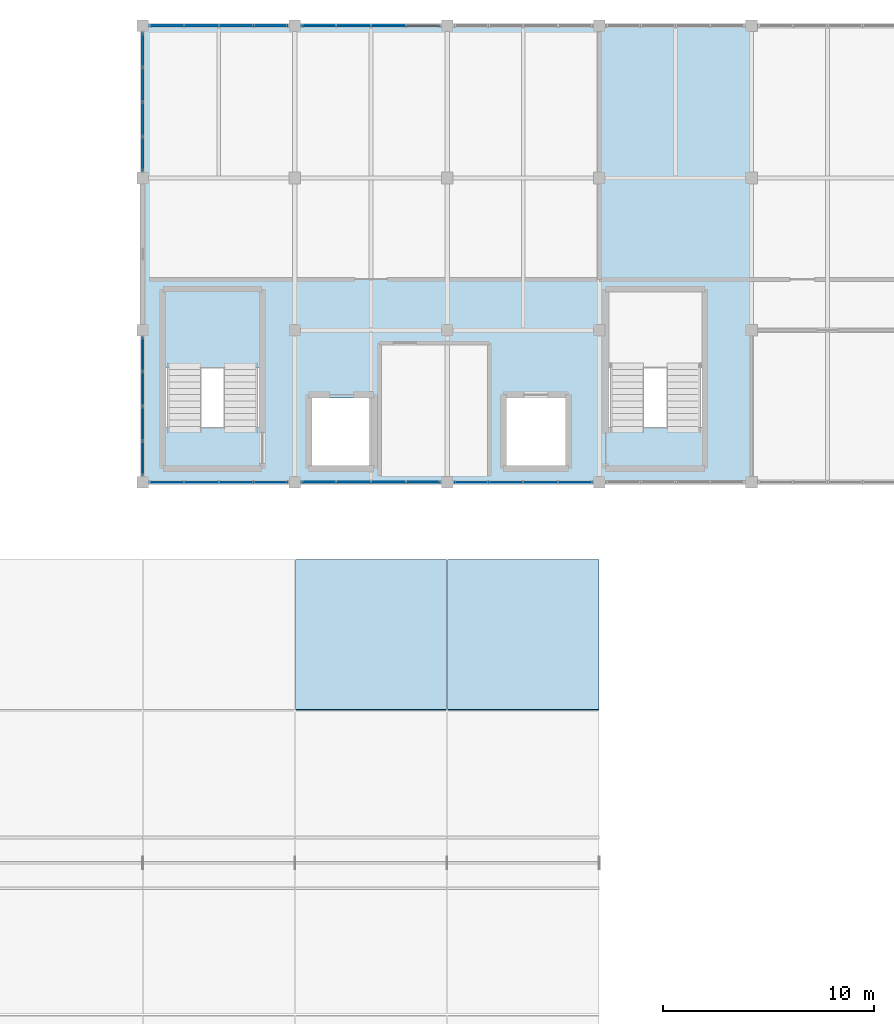
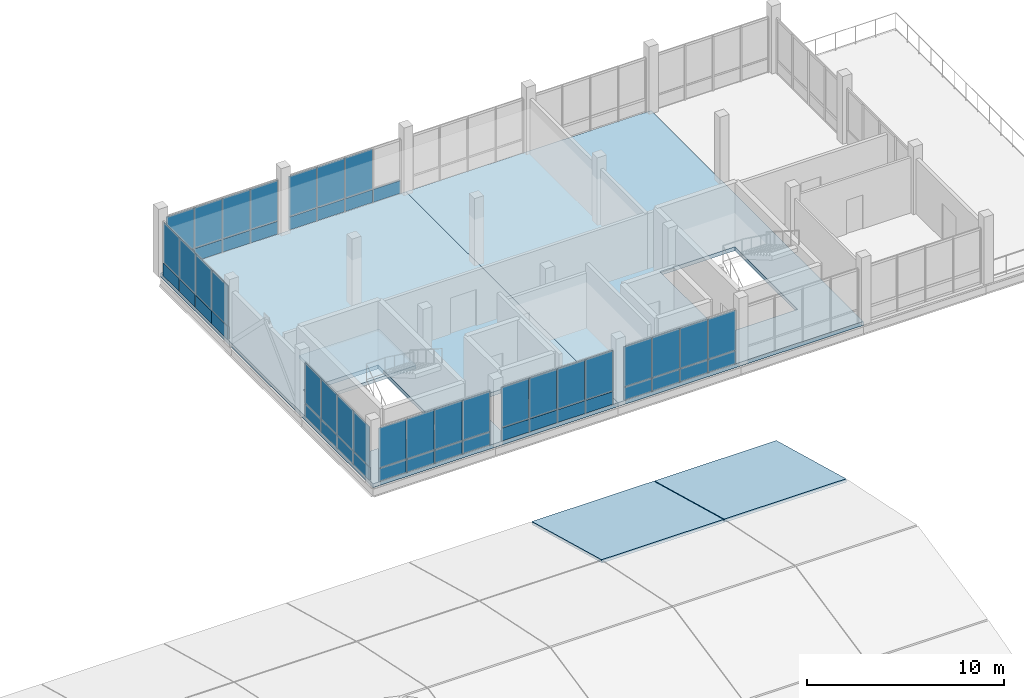
# One storey, part 32 of 47: 55 plates, 5 slabs, 9 elements without a shape of their own.
"""IFC4 building model written with IfcOpenShell, lengths in metres."""

from ifc_helpers import new_model, si_unit, direction, frame, origin, origin_2d, place, context, subcontext, project, spatial, polyline, rectangle, outline, extrude, material, layer, layer_set, type_object, element, aggregate, save


model = new_model("IFC4")

# Units and contexts
model_context = context("Model", 3, precision=1e-05, world=origin(), true_north=direction((0.0, 1.0)))
body_context = subcontext(model_context, "Body", "Model", "MODEL_VIEW")
ifc_project = project(units=[si_unit("LENGTHUNIT", "METRE"), si_unit("AREAUNIT", "SQUARE_METRE"), si_unit("VOLUMEUNIT", "CUBIC_METRE"), si_unit("PLANEANGLEUNIT", "RADIAN"), si_unit("MASSUNIT", "GRAM", prefix="KILO")], contexts=[model_context])

# Site, building, storey
site_placement = place(None, origin())
site = spatial("IfcSite", under=ifc_project, at=site_placement, CompositionType="ELEMENT")
building_placement = place(site_placement, origin())
building = spatial("IfcBuilding", under=site, at=building_placement, Name="Yarey Park Central Fire Station", CompositionType="ELEMENT")
storey_placement = place(building_placement, frame((0.0, 0.0, 18.0)))
storey = spatial("IfcBuildingStorey", under=building, at=storey_placement, Name="L05", CompositionType="ELEMENT", Elevation=18.0)

# Curtain wall, plates
ifc_material_1 = material(Name="Anodized Aluminium Frame", Category="aluminium")
curtain_wall_type = type_object("IfcCurtainWallType", Name="ENV_CW_HQ_L05", PredefinedType="NOTDEFINED", material=ifc_material_1)
curtain_wall_1_placement = place(storey_placement, origin())
curtain_wall_1 = element("IfcCurtainWall", 1, at=curtain_wall_1_placement, inside=storey, type_object=curtain_wall_type, Name="CW_L05_V4_S_1", PredefinedType="NOTDEFINED")
ifc_material_2 = material(Name="Insulated Aluminium Spandrel Panel", Category="aluminium")
ifc_layer_1 = layer(ifc_material_2, 0.055908203125)
ifc_layer_set_1 = layer_set([ifc_layer_1], Name="Insulated Aluminium Spandrel Panel")
plate_type_1 = type_object("IfcPlateType", Name="ENV_PNL_SPN_01", PredefinedType="CURTAIN_PANEL", material=ifc_layer_set_1)
plate_1_placement = place(storey_placement, frame((116.33251953125, 93.60009765625, 0.04248046875), z_axis=(0.0, 0.0, 1.0), x_axis=(1.0, 0.0, 0.0)))
plate_1 = element("IfcPlate", 2, at=plate_1_placement, type_object=plate_type_1, Name="CW_L05_V4_S_1_PNL01", PredefinedType="CURTAIN_PANEL", context=body_context, shape_type="SweptSolid", body=[
    extrude(rectangle(XDim=1.60498046875, YDim=0.055908203125, at=origin_2d()), origin(), (0.0, 0.0, 1.0), 0.7900390625),
])
plate_2_placement = place(storey_placement, frame((117.9775390625, 93.60009765625, 0.04248046875), z_axis=(0.0, 0.0, 1.0), x_axis=(1.0, 0.0, 0.0)))
plate_2 = element("IfcPlate", 3, at=plate_2_placement, type_object=plate_type_1, Name="CW_L05_V4_S_1_PNL03", PredefinedType="CURTAIN_PANEL", context=body_context, shape_type="SweptSolid", body=[
    extrude(rectangle(XDim=1.60498046875, YDim=0.055908203125, at=origin_2d()), origin(), (0.0, 0.0, 1.0), 0.7900390625),
])
plate_3_placement = place(storey_placement, frame((119.62255859375, 93.60009765625, 0.04248046875), z_axis=(0.0, 0.0, 1.0), x_axis=(1.0, 0.0, 0.0)))
plate_3 = element("IfcPlate", 4, at=plate_3_placement, type_object=plate_type_1, Name="CW_L05_V4_S_1_PNL05", PredefinedType="CURTAIN_PANEL", context=body_context, shape_type="SweptSolid", body=[
    extrude(rectangle(XDim=1.60498046875, YDim=0.055908203125, at=origin_2d()), origin(), (0.0, 0.0, 1.0), 0.7900390625),
])
plate_4_placement = place(storey_placement, frame((121.267578125, 93.60009765625, 0.04248046875), z_axis=(0.0, 0.0, 1.0), x_axis=(1.0, 0.0, 0.0)))
plate_4 = element("IfcPlate", 5, at=plate_4_placement, type_object=plate_type_1, Name="CW_L05_V4_S_1_PNL07", PredefinedType="CURTAIN_PANEL", context=body_context, shape_type="SweptSolid", body=[
    extrude(rectangle(XDim=1.60498046875, YDim=0.055908203125, at=origin_2d()), origin(), (0.0, 0.0, 1.0), 0.7900390625),
])

curtain_wall_2_placement = place(storey_placement, origin())
curtain_wall_2 = element("IfcCurtainWall", 6, at=curtain_wall_2_placement, inside=storey, type_object=curtain_wall_type, Name="CW_L05_V4_S_3", PredefinedType="NOTDEFINED")
plate_5_placement = place(storey_placement, frame((130.732421875, 93.60009765625, 0.04248046875), z_axis=(0.0, 0.0, 1.0), x_axis=(1.0, 0.0, 0.0)))
plate_5 = element("IfcPlate", 7, at=plate_5_placement, type_object=plate_type_1, Name="CW_L05_V4_S_3_PNL01", PredefinedType="CURTAIN_PANEL", context=body_context, shape_type="SweptSolid", body=[
    extrude(rectangle(XDim=1.60498046875, YDim=0.055908203125, at=origin_2d()), origin(), (0.0, 0.0, 1.0), 0.7900390625),
])
plate_6_placement = place(storey_placement, frame((132.37744140625, 93.60009765625, 0.04248046875), z_axis=(0.0, 0.0, 1.0), x_axis=(1.0, 0.0, 0.0)))
plate_6 = element("IfcPlate", 8, at=plate_6_placement, type_object=plate_type_1, Name="CW_L05_V4_S_3_PNL03", PredefinedType="CURTAIN_PANEL", context=body_context, shape_type="SweptSolid", body=[
    extrude(rectangle(XDim=1.60498046875, YDim=0.055908203125, at=origin_2d()), origin(), (0.0, 0.0, 1.0), 0.7900390625),
])
plate_7_placement = place(storey_placement, frame((134.0224609375, 93.60009765625, 0.04248046875), z_axis=(0.0, 0.0, 1.0), x_axis=(1.0, 0.0, 0.0)))
plate_7 = element("IfcPlate", 9, at=plate_7_placement, type_object=plate_type_1, Name="CW_L05_V4_S_3_PNL05", PredefinedType="CURTAIN_PANEL", context=body_context, shape_type="SweptSolid", body=[
    extrude(rectangle(XDim=1.60498046875, YDim=0.055908203125, at=origin_2d()), origin(), (0.0, 0.0, 1.0), 0.7900390625),
])
plate_8_placement = place(storey_placement, frame((135.66748046875, 93.60009765625, 0.04248046875), z_axis=(0.0, 0.0, 1.0), x_axis=(1.0, 0.0, 0.0)))
plate_8 = element("IfcPlate", 10, at=plate_8_placement, type_object=plate_type_1, Name="CW_L05_V4_S_3_PNL07", PredefinedType="CURTAIN_PANEL", context=body_context, shape_type="SweptSolid", body=[
    extrude(rectangle(XDim=1.60498046875, YDim=0.055908203125, at=origin_2d()), origin(), (0.0, 0.0, 1.0), 0.7900390625),
])

curtain_wall_3_placement = place(storey_placement, origin())
curtain_wall_3 = element("IfcCurtainWall", 11, at=curtain_wall_3_placement, inside=storey, type_object=curtain_wall_type, Name="CW_L05_V4_N_2", PredefinedType="NOTDEFINED")
ifc_layer_2 = layer(ifc_material_2, 0.068115234375)
ifc_layer_set_2 = layer_set([ifc_layer_2], Name="Insulated Aluminium Spandrel Panel")
plate_type_2 = type_object("IfcPlateType", Name="ENV_PNL_SPN_02", PredefinedType="CURTAIN_PANEL", material=ifc_layer_set_2)
plate_9_placement = place(storey_placement, frame((128.467529296875, 115.199951171875, 0.04248046875), z_axis=(0.0, 0.0, 1.0), x_axis=(-1.0, 0.0, 0.0)))
plate_9 = element("IfcPlate", 12, at=plate_9_placement, type_object=plate_type_2, Name="CW_L05_V4_N_2_PNL01", PredefinedType="CURTAIN_PANEL", context=body_context, shape_type="SweptSolid", body=[
    extrude(rectangle(XDim=1.60498046875, YDim=0.068115234375, at=origin_2d()), origin(), (0.0, 0.0, 1.0), 0.7900390625),
])
plate_10_placement = place(storey_placement, frame((126.822509765625, 115.199951171875, 0.04248046875), z_axis=(0.0, 0.0, 1.0), x_axis=(-1.0, 0.0, 0.0)))
plate_10 = element("IfcPlate", 13, at=plate_10_placement, type_object=plate_type_2, Name="CW_L05_V4_N_2_PNL03", PredefinedType="CURTAIN_PANEL", context=body_context, shape_type="SweptSolid", body=[
    extrude(rectangle(XDim=1.60498046875, YDim=0.068115234375, at=origin_2d()), origin(), (0.0, 0.0, 1.0), 0.7900390625),
])
plate_11_placement = place(storey_placement, frame((125.177490234375, 115.199951171875, 0.04248046875), z_axis=(0.0, 0.0, 1.0), x_axis=(-1.0, 0.0, 0.0)))
plate_11 = element("IfcPlate", 14, at=plate_11_placement, type_object=plate_type_2, Name="CW_L05_V4_N_2_PNL05", PredefinedType="CURTAIN_PANEL", context=body_context, shape_type="SweptSolid", body=[
    extrude(rectangle(XDim=1.60498046875, YDim=0.068115234375, at=origin_2d()), origin(), (0.0, 0.0, 1.0), 0.7900390625),
])
plate_12_placement = place(storey_placement, frame((123.532470703125, 115.199951171875, 0.04248046875), z_axis=(0.0, 0.0, 1.0), x_axis=(-1.0, 0.0, 0.0)))
plate_12 = element("IfcPlate", 15, at=plate_12_placement, type_object=plate_type_2, Name="CW_L05_V4_N_2_PNL07", PredefinedType="CURTAIN_PANEL", context=body_context, shape_type="SweptSolid", body=[
    extrude(rectangle(XDim=1.60498046875, YDim=0.068115234375, at=origin_2d()), origin(), (0.0, 0.0, 1.0), 0.7900390625),
])

curtain_wall_4_placement = place(storey_placement, origin())
curtain_wall_4 = element("IfcCurtainWall", 16, at=curtain_wall_4_placement, inside=storey, type_object=curtain_wall_type, Name="CW_L05_V4_W_93", PredefinedType="NOTDEFINED")
plate_13_placement = place(storey_placement, frame((115.199951171875, 99.66748046875, 0.04248046875), z_axis=(0.0, 0.0, 1.0), x_axis=(0.0, -1.0, 0.0)))
plate_13 = element("IfcPlate", 17, at=plate_13_placement, type_object=plate_type_2, Name="CW_L05_V4_W_93_PNL01", PredefinedType="CURTAIN_PANEL", context=body_context, shape_type="SweptSolid", body=[
    extrude(rectangle(XDim=1.60498046875, YDim=0.068115234375, at=origin_2d()), origin(), (0.0, 0.0, 1.0), 0.7900390625),
])
plate_14_placement = place(storey_placement, frame((115.199951171875, 98.0224609375, 0.04248046875), z_axis=(0.0, 0.0, 1.0), x_axis=(0.0, -1.0, 0.0)))
plate_14 = element("IfcPlate", 18, at=plate_14_placement, type_object=plate_type_2, Name="CW_L05_V4_W_93_PNL03", PredefinedType="CURTAIN_PANEL", context=body_context, shape_type="SweptSolid", body=[
    extrude(rectangle(XDim=1.60498046875, YDim=0.068115234375, at=origin_2d()), origin(), (0.0, 0.0, 1.0), 0.7900390625),
])
plate_15_placement = place(storey_placement, frame((115.199951171875, 96.37744140625, 0.04248046875), z_axis=(0.0, 0.0, 1.0), x_axis=(0.0, -1.0, 0.0)))
plate_15 = element("IfcPlate", 19, at=plate_15_placement, type_object=plate_type_2, Name="CW_L05_V4_W_93_PNL05", PredefinedType="CURTAIN_PANEL", context=body_context, shape_type="SweptSolid", body=[
    extrude(rectangle(XDim=1.60498046875, YDim=0.068115234375, at=origin_2d()), origin(), (0.0, 0.0, 1.0), 0.7900390625),
])
plate_16_placement = place(storey_placement, frame((115.199951171875, 94.732421875, 0.04248046875), z_axis=(0.0, 0.0, 1.0), x_axis=(0.0, -1.0, 0.0)))
plate_16 = element("IfcPlate", 20, at=plate_16_placement, type_object=plate_type_2, Name="CW_L05_V4_W_93_PNL07", PredefinedType="CURTAIN_PANEL", context=body_context, shape_type="SweptSolid", body=[
    extrude(rectangle(XDim=1.60498046875, YDim=0.068115234375, at=origin_2d()), origin(), (0.0, 0.0, 1.0), 0.7900390625),
])

curtain_wall_5_placement = place(storey_placement, origin())
curtain_wall_5 = element("IfcCurtainWall", 21, at=curtain_wall_5_placement, inside=storey, type_object=curtain_wall_type, Name="CW_L05_V4_S_2", PredefinedType="NOTDEFINED")
ifc_layer_3 = layer(ifc_material_2, 0.077880859375)
ifc_layer_set_3 = layer_set([ifc_layer_3], Name="Insulated Aluminium Spandrel Panel")
plate_type_3 = type_object("IfcPlateType", Name="ENV_PNL_SPN_03", PredefinedType="CURTAIN_PANEL", material=ifc_layer_set_3)
plate_17_placement = place(storey_placement, frame((123.532470703125, 93.60009765625, 0.04248046875), z_axis=(0.0, 0.0, 1.0), x_axis=(1.0, 0.0, 0.0)))
plate_17 = element("IfcPlate", 22, at=plate_17_placement, type_object=plate_type_3, Name="CW_L05_V4_S_2_PNL01", PredefinedType="CURTAIN_PANEL", context=body_context, shape_type="SweptSolid", body=[
    extrude(rectangle(XDim=1.60498046875, YDim=0.077880859375, at=origin_2d()), origin(), (0.0, 0.0, 1.0), 0.7900390625),
])
plate_18_placement = place(storey_placement, frame((125.177490234375, 93.60009765625, 0.04248046875), z_axis=(0.0, 0.0, 1.0), x_axis=(1.0, 0.0, 0.0)))
plate_18 = element("IfcPlate", 23, at=plate_18_placement, type_object=plate_type_3, Name="CW_L05_V4_S_2_PNL03", PredefinedType="CURTAIN_PANEL", context=body_context, shape_type="SweptSolid", body=[
    extrude(rectangle(XDim=1.60498046875, YDim=0.077880859375, at=origin_2d()), origin(), (0.0, 0.0, 1.0), 0.7900390625),
])
plate_19_placement = place(storey_placement, frame((126.822509765625, 93.60009765625, 0.04248046875), z_axis=(0.0, 0.0, 1.0), x_axis=(1.0, 0.0, 0.0)))
plate_19 = element("IfcPlate", 24, at=plate_19_placement, type_object=plate_type_3, Name="CW_L05_V4_S_2_PNL05", PredefinedType="CURTAIN_PANEL", context=body_context, shape_type="SweptSolid", body=[
    extrude(rectangle(XDim=1.60498046875, YDim=0.077880859375, at=origin_2d()), origin(), (0.0, 0.0, 1.0), 0.7900390625),
])
plate_20_placement = place(storey_placement, frame((128.467529296875, 93.60009765625, 0.04248046875), z_axis=(0.0, 0.0, 1.0), x_axis=(1.0, 0.0, 0.0)))
plate_20 = element("IfcPlate", 25, at=plate_20_placement, type_object=plate_type_3, Name="CW_L05_V4_S_2_PNL07", PredefinedType="CURTAIN_PANEL", context=body_context, shape_type="SweptSolid", body=[
    extrude(rectangle(XDim=1.60498046875, YDim=0.077880859375, at=origin_2d()), origin(), (0.0, 0.0, 1.0), 0.7900390625),
])

curtain_wall_6_placement = place(storey_placement, origin())
curtain_wall_6 = element("IfcCurtainWall", 26, at=curtain_wall_6_placement, inside=storey, type_object=curtain_wall_type, Name="CW_L05_V4_W_108", PredefinedType="NOTDEFINED")
plate_21_placement = place(storey_placement, frame((115.199951171875, 114.0673828125, 0.04248046875), z_axis=(0.0, 0.0, 1.0), x_axis=(0.0, -1.0, 0.0)))
plate_21 = element("IfcPlate", 27, at=plate_21_placement, type_object=plate_type_3, Name="CW_L05_V4_W_108_PNL01", PredefinedType="CURTAIN_PANEL", context=body_context, shape_type="SweptSolid", body=[
    extrude(rectangle(XDim=1.60498046875, YDim=0.077880859375, at=origin_2d()), origin(), (0.0, 0.0, 1.0), 0.7900390625),
])
plate_22_placement = place(storey_placement, frame((115.199951171875, 112.422607421875, 0.04248046875), z_axis=(0.0, 0.0, 1.0), x_axis=(0.0, -1.0, 0.0)))
plate_22 = element("IfcPlate", 28, at=plate_22_placement, type_object=plate_type_3, Name="CW_L05_V4_W_108_PNL03", PredefinedType="CURTAIN_PANEL", context=body_context, shape_type="SweptSolid", body=[
    extrude(rectangle(XDim=1.60498046875, YDim=0.077880859375, at=origin_2d()), origin(), (0.0, 0.0, 1.0), 0.7900390625),
])
plate_23_placement = place(storey_placement, frame((115.199951171875, 110.777587890625, 0.04248046875), z_axis=(0.0, 0.0, 1.0), x_axis=(0.0, -1.0, 0.0)))
plate_23 = element("IfcPlate", 29, at=plate_23_placement, type_object=plate_type_3, Name="CW_L05_V4_W_108_PNL05", PredefinedType="CURTAIN_PANEL", context=body_context, shape_type="SweptSolid", body=[
    extrude(rectangle(XDim=1.60498046875, YDim=0.077880859375, at=origin_2d()), origin(), (0.0, 0.0, 1.0), 0.7900390625),
])
plate_24_placement = place(storey_placement, frame((115.199951171875, 109.132568359375, 0.04248046875), z_axis=(0.0, 0.0, 1.0), x_axis=(0.0, -1.0, 0.0)))
plate_24 = element("IfcPlate", 30, at=plate_24_placement, type_object=plate_type_3, Name="CW_L05_V4_W_108_PNL07", PredefinedType="CURTAIN_PANEL", context=body_context, shape_type="SweptSolid", body=[
    extrude(rectangle(XDim=1.60498046875, YDim=0.077880859375, at=origin_2d()), origin(), (0.0, 0.0, 1.0), 0.7900390625),
])

curtain_wall_7_placement = place(storey_placement, origin())
curtain_wall_7 = element("IfcCurtainWall", 31, at=curtain_wall_7_placement, inside=storey, type_object=curtain_wall_type, Name="CW_L05_V4_N_1", PredefinedType="NOTDEFINED")
ifc_layer_4 = layer(ifc_material_2, 0.087890625)
ifc_layer_set_4 = layer_set([ifc_layer_4], Name="Insulated Aluminium Spandrel Panel")
plate_type_4 = type_object("IfcPlateType", Name="ENV_PNL_SPN_04", PredefinedType="CURTAIN_PANEL", material=ifc_layer_set_4)
plate_25_placement = place(storey_placement, frame((121.267578125, 115.199951171875, 0.04248046875), z_axis=(0.0, 0.0, 1.0), x_axis=(-1.0, 0.0, 0.0)))
plate_25 = element("IfcPlate", 32, at=plate_25_placement, type_object=plate_type_4, Name="CW_L05_V4_N_1_PNL01", PredefinedType="CURTAIN_PANEL", context=body_context, shape_type="SweptSolid", body=[
    extrude(rectangle(XDim=1.60498046875, YDim=0.087890625, at=origin_2d()), origin(), (0.0, 0.0, 1.0), 0.7900390625),
])
plate_26_placement = place(storey_placement, frame((119.62255859375, 115.199951171875, 0.04248046875), z_axis=(0.0, 0.0, 1.0), x_axis=(-1.0, 0.0, 0.0)))
plate_26 = element("IfcPlate", 33, at=plate_26_placement, type_object=plate_type_4, Name="CW_L05_V4_N_1_PNL03", PredefinedType="CURTAIN_PANEL", context=body_context, shape_type="SweptSolid", body=[
    extrude(rectangle(XDim=1.60498046875, YDim=0.087890625, at=origin_2d()), origin(), (0.0, 0.0, 1.0), 0.7900390625),
])
plate_27_placement = place(storey_placement, frame((117.9775390625, 115.199951171875, 0.04248046875), z_axis=(0.0, 0.0, 1.0), x_axis=(-1.0, 0.0, 0.0)))
plate_27 = element("IfcPlate", 34, at=plate_27_placement, type_object=plate_type_4, Name="CW_L05_V4_N_1_PNL05", PredefinedType="CURTAIN_PANEL", context=body_context, shape_type="SweptSolid", body=[
    extrude(rectangle(XDim=1.60498046875, YDim=0.087890625, at=origin_2d()), origin(), (0.0, 0.0, 1.0), 0.7900390625),
])
plate_28_placement = place(storey_placement, frame((116.33251953125, 115.199951171875, 0.04248046875), z_axis=(0.0, 0.0, 1.0), x_axis=(-1.0, 0.0, 0.0)))
plate_28 = element("IfcPlate", 35, at=plate_28_placement, type_object=plate_type_4, Name="CW_L05_V4_N_1_PNL07", PredefinedType="CURTAIN_PANEL", context=body_context, shape_type="SweptSolid", body=[
    extrude(rectangle(XDim=1.60498046875, YDim=0.087890625, at=origin_2d()), origin(), (0.0, 0.0, 1.0), 0.7900390625),
])

# Plate
ifc_material_3 = material(Name="Laminated Hurricane Low-E Glass", Category="glass")
ifc_layer_5 = layer(ifc_material_3, 0.02392578125)
ifc_layer_set_5 = layer_set([ifc_layer_5], Name="Laminated Hurricane Low-E Glass")
plate_type_5 = type_object("IfcPlateType", Name="ENV_PNL_VIS_01", PredefinedType="CURTAIN_PANEL", material=ifc_layer_set_5)
plate_29_placement = place(storey_placement, frame((116.33251953125, 93.60009765625, 0.86767578125), z_axis=(0.0, 0.0, 1.0), x_axis=(1.0, 0.0, 0.0)))
plate_29 = element("IfcPlate", 36, at=plate_29_placement, type_object=plate_type_5, Name="CW_L05_V4_S_1_PNL02", PredefinedType="CURTAIN_PANEL", context=body_context, shape_type="SweptSolid", body=[
    extrude(rectangle(XDim=1.60498046875, YDim=0.02392578125, at=origin_2d()), origin(), (0.0, 0.0, 1.0), 2.489990234375),
])

plate_30_placement = place(storey_placement, frame((117.9775390625, 93.60009765625, 0.86767578125), z_axis=(0.0, 0.0, 1.0), x_axis=(1.0, 0.0, 0.0)))
plate_30 = element("IfcPlate", 37, at=plate_30_placement, type_object=plate_type_5, Name="CW_L05_V4_S_1_PNL04", PredefinedType="CURTAIN_PANEL", context=body_context, shape_type="SweptSolid", body=[
    extrude(rectangle(XDim=1.60498046875, YDim=0.02392578125, at=origin_2d()), origin(), (0.0, 0.0, 1.0), 2.489990234375),
])

plate_31_placement = place(storey_placement, frame((119.62255859375, 93.60009765625, 0.86767578125), z_axis=(0.0, 0.0, 1.0), x_axis=(1.0, 0.0, 0.0)))
plate_31 = element("IfcPlate", 38, at=plate_31_placement, type_object=plate_type_5, Name="CW_L05_V4_S_1_PNL06", PredefinedType="CURTAIN_PANEL", context=body_context, shape_type="SweptSolid", body=[
    extrude(rectangle(XDim=1.60498046875, YDim=0.02392578125, at=origin_2d()), origin(), (0.0, 0.0, 1.0), 2.489990234375),
])

plate_32_placement = place(storey_placement, frame((121.267578125, 93.60009765625, 0.86767578125), z_axis=(0.0, 0.0, 1.0), x_axis=(1.0, 0.0, 0.0)))
plate_32 = element("IfcPlate", 39, at=plate_32_placement, type_object=plate_type_5, Name="CW_L05_V4_S_1_PNL08", PredefinedType="CURTAIN_PANEL", context=body_context, shape_type="SweptSolid", body=[
    extrude(rectangle(XDim=1.60498046875, YDim=0.02392578125, at=origin_2d()), origin(), (0.0, 0.0, 1.0), 2.489990234375),
])

aggregate(curtain_wall_1, [plate_1, plate_29, plate_2, plate_30, plate_3, plate_31, plate_4, plate_32])

plate_33_placement = place(storey_placement, frame((130.732421875, 93.60009765625, 0.86767578125), z_axis=(0.0, 0.0, 1.0), x_axis=(1.0, 0.0, 0.0)))
plate_33 = element("IfcPlate", 40, at=plate_33_placement, type_object=plate_type_5, Name="CW_L05_V4_S_3_PNL02", PredefinedType="CURTAIN_PANEL", context=body_context, shape_type="SweptSolid", body=[
    extrude(rectangle(XDim=1.60498046875, YDim=0.02392578125, at=origin_2d()), origin(), (0.0, 0.0, 1.0), 2.489990234375),
])

plate_34_placement = place(storey_placement, frame((132.37744140625, 93.60009765625, 0.86767578125), z_axis=(0.0, 0.0, 1.0), x_axis=(1.0, 0.0, 0.0)))
plate_34 = element("IfcPlate", 41, at=plate_34_placement, type_object=plate_type_5, Name="CW_L05_V4_S_3_PNL04", PredefinedType="CURTAIN_PANEL", context=body_context, shape_type="SweptSolid", body=[
    extrude(rectangle(XDim=1.60498046875, YDim=0.02392578125, at=origin_2d()), origin(), (0.0, 0.0, 1.0), 2.489990234375),
])

plate_35_placement = place(storey_placement, frame((134.0224609375, 93.60009765625, 0.86767578125), z_axis=(0.0, 0.0, 1.0), x_axis=(1.0, 0.0, 0.0)))
plate_35 = element("IfcPlate", 42, at=plate_35_placement, type_object=plate_type_5, Name="CW_L05_V4_S_3_PNL06", PredefinedType="CURTAIN_PANEL", context=body_context, shape_type="SweptSolid", body=[
    extrude(rectangle(XDim=1.60498046875, YDim=0.02392578125, at=origin_2d()), origin(), (0.0, 0.0, 1.0), 2.489990234375),
])

plate_36_placement = place(storey_placement, frame((135.66748046875, 93.60009765625, 0.86767578125), z_axis=(0.0, 0.0, 1.0), x_axis=(1.0, 0.0, 0.0)))
plate_36 = element("IfcPlate", 43, at=plate_36_placement, type_object=plate_type_5, Name="CW_L05_V4_S_3_PNL08", PredefinedType="CURTAIN_PANEL", context=body_context, shape_type="SweptSolid", body=[
    extrude(rectangle(XDim=1.60498046875, YDim=0.02392578125, at=origin_2d()), origin(), (0.0, 0.0, 1.0), 2.489990234375),
])

aggregate(curtain_wall_2, [plate_5, plate_33, plate_6, plate_34, plate_7, plate_35, plate_8, plate_36])

ifc_layer_6 = layer(ifc_material_3, 0.031982421875)
ifc_layer_set_6 = layer_set([ifc_layer_6], Name="Laminated Hurricane Low-E Glass")
plate_type_6 = type_object("IfcPlateType", Name="ENV_PNL_VIS_02", PredefinedType="CURTAIN_PANEL", material=ifc_layer_set_6)
plate_37_placement = place(storey_placement, frame((126.822509765625, 115.199951171875, 0.86767578125), z_axis=(0.0, 0.0, 1.0), x_axis=(-1.0, 0.0, 0.0)))
plate_37 = element("IfcPlate", 44, at=plate_37_placement, type_object=plate_type_6, Name="CW_L05_V4_N_2_PNL04", PredefinedType="CURTAIN_PANEL", context=body_context, shape_type="SweptSolid", body=[
    extrude(rectangle(XDim=1.60498046875, YDim=0.031982421875, at=origin_2d()), origin(), (0.0, 0.0, 1.0), 2.489990234375),
])

plate_38_placement = place(storey_placement, frame((125.177490234375, 115.199951171875, 0.86767578125), z_axis=(0.0, 0.0, 1.0), x_axis=(-1.0, 0.0, 0.0)))
plate_38 = element("IfcPlate", 45, at=plate_38_placement, type_object=plate_type_6, Name="CW_L05_V4_N_2_PNL06", PredefinedType="CURTAIN_PANEL", context=body_context, shape_type="SweptSolid", body=[
    extrude(rectangle(XDim=1.60498046875, YDim=0.031982421875, at=origin_2d()), origin(), (0.0, 0.0, 1.0), 2.489990234375),
])

plate_39_placement = place(storey_placement, frame((123.532470703125, 115.199951171875, 0.86767578125), z_axis=(0.0, 0.0, 1.0), x_axis=(-1.0, 0.0, 0.0)))
plate_39 = element("IfcPlate", 46, at=plate_39_placement, type_object=plate_type_6, Name="CW_L05_V4_N_2_PNL08", PredefinedType="CURTAIN_PANEL", context=body_context, shape_type="SweptSolid", body=[
    extrude(rectangle(XDim=1.60498046875, YDim=0.031982421875, at=origin_2d()), origin(), (0.0, 0.0, 1.0), 2.489990234375),
])

aggregate(curtain_wall_3, [plate_9, plate_10, plate_37, plate_11, plate_38, plate_12, plate_39])

plate_40_placement = place(storey_placement, frame((115.199951171875, 99.66748046875, 0.86767578125), z_axis=(0.0, 0.0, 1.0), x_axis=(0.0, -1.0, 0.0)))
plate_40 = element("IfcPlate", 47, at=plate_40_placement, type_object=plate_type_6, Name="CW_L05_V4_W_93_PNL02", PredefinedType="CURTAIN_PANEL", context=body_context, shape_type="SweptSolid", body=[
    extrude(rectangle(XDim=1.60498046875, YDim=0.031982421875, at=origin_2d()), origin(), (0.0, 0.0, 1.0), 2.489990234375),
])

plate_41_placement = place(storey_placement, frame((115.199951171875, 98.0224609375, 0.86767578125), z_axis=(0.0, 0.0, 1.0), x_axis=(0.0, -1.0, 0.0)))
plate_41 = element("IfcPlate", 48, at=plate_41_placement, type_object=plate_type_6, Name="CW_L05_V4_W_93_PNL04", PredefinedType="CURTAIN_PANEL", context=body_context, shape_type="SweptSolid", body=[
    extrude(rectangle(XDim=1.60498046875, YDim=0.031982421875, at=origin_2d()), origin(), (0.0, 0.0, 1.0), 2.489990234375),
])

plate_42_placement = place(storey_placement, frame((115.199951171875, 96.37744140625, 0.86767578125), z_axis=(0.0, 0.0, 1.0), x_axis=(0.0, -1.0, 0.0)))
plate_42 = element("IfcPlate", 49, at=plate_42_placement, type_object=plate_type_6, Name="CW_L05_V4_W_93_PNL06", PredefinedType="CURTAIN_PANEL", context=body_context, shape_type="SweptSolid", body=[
    extrude(rectangle(XDim=1.60498046875, YDim=0.031982421875, at=origin_2d()), origin(), (0.0, 0.0, 1.0), 2.489990234375),
])

plate_43_placement = place(storey_placement, frame((115.199951171875, 94.732421875, 0.86767578125), z_axis=(0.0, 0.0, 1.0), x_axis=(0.0, -1.0, 0.0)))
plate_43 = element("IfcPlate", 50, at=plate_43_placement, type_object=plate_type_6, Name="CW_L05_V4_W_93_PNL08", PredefinedType="CURTAIN_PANEL", context=body_context, shape_type="SweptSolid", body=[
    extrude(rectangle(XDim=1.60498046875, YDim=0.031982421875, at=origin_2d()), origin(), (0.0, 0.0, 1.0), 2.489990234375),
])

aggregate(curtain_wall_4, [plate_13, plate_40, plate_14, plate_41, plate_15, plate_42, plate_16, plate_43])

ifc_layer_7 = layer(ifc_material_3, 0.0380859375)
ifc_layer_set_7 = layer_set([ifc_layer_7], Name="Laminated Hurricane Low-E Glass")
plate_type_7 = type_object("IfcPlateType", Name="ENV_PNL_VIS_03", PredefinedType="CURTAIN_PANEL", material=ifc_layer_set_7)
plate_44_placement = place(storey_placement, frame((123.532470703125, 93.60009765625, 0.86767578125), z_axis=(0.0, 0.0, 1.0), x_axis=(1.0, 0.0, 0.0)))
plate_44 = element("IfcPlate", 51, at=plate_44_placement, type_object=plate_type_7, Name="CW_L05_V4_S_2_PNL02", PredefinedType="CURTAIN_PANEL", context=body_context, shape_type="SweptSolid", body=[
    extrude(rectangle(XDim=1.60498046875, YDim=0.0380859375, at=origin_2d()), origin(), (0.0, 0.0, 1.0), 2.489990234375),
])

plate_45_placement = place(storey_placement, frame((125.177490234375, 93.60009765625, 0.86767578125), z_axis=(0.0, 0.0, 1.0), x_axis=(1.0, 0.0, 0.0)))
plate_45 = element("IfcPlate", 52, at=plate_45_placement, type_object=plate_type_7, Name="CW_L05_V4_S_2_PNL04", PredefinedType="CURTAIN_PANEL", context=body_context, shape_type="SweptSolid", body=[
    extrude(rectangle(XDim=1.60498046875, YDim=0.0380859375, at=origin_2d()), origin(), (0.0, 0.0, 1.0), 2.489990234375),
])

plate_46_placement = place(storey_placement, frame((126.822509765625, 93.60009765625, 0.86767578125), z_axis=(0.0, 0.0, 1.0), x_axis=(1.0, 0.0, 0.0)))
plate_46 = element("IfcPlate", 53, at=plate_46_placement, type_object=plate_type_7, Name="CW_L05_V4_S_2_PNL06", PredefinedType="CURTAIN_PANEL", context=body_context, shape_type="SweptSolid", body=[
    extrude(rectangle(XDim=1.60498046875, YDim=0.0380859375, at=origin_2d()), origin(), (0.0, 0.0, 1.0), 2.489990234375),
])

plate_47_placement = place(storey_placement, frame((128.467529296875, 93.60009765625, 0.86767578125), z_axis=(0.0, 0.0, 1.0), x_axis=(1.0, 0.0, 0.0)))
plate_47 = element("IfcPlate", 54, at=plate_47_placement, type_object=plate_type_7, Name="CW_L05_V4_S_2_PNL08", PredefinedType="CURTAIN_PANEL", context=body_context, shape_type="SweptSolid", body=[
    extrude(rectangle(XDim=1.60498046875, YDim=0.0380859375, at=origin_2d()), origin(), (0.0, 0.0, 1.0), 2.489990234375),
])

aggregate(curtain_wall_5, [plate_17, plate_44, plate_18, plate_45, plate_19, plate_46, plate_20, plate_47])

plate_48_placement = place(storey_placement, frame((115.199951171875, 114.0673828125, 0.86767578125), z_axis=(0.0, 0.0, 1.0), x_axis=(0.0, -1.0, 0.0)))
plate_48 = element("IfcPlate", 55, at=plate_48_placement, type_object=plate_type_7, Name="CW_L05_V4_W_108_PNL02", PredefinedType="CURTAIN_PANEL", context=body_context, shape_type="SweptSolid", body=[
    extrude(rectangle(XDim=1.60498046875, YDim=0.0380859375, at=origin_2d()), origin(), (0.0, 0.0, 1.0), 2.489990234375),
])

plate_49_placement = place(storey_placement, frame((115.199951171875, 112.422607421875, 0.86767578125), z_axis=(0.0, 0.0, 1.0), x_axis=(0.0, -1.0, 0.0)))
plate_49 = element("IfcPlate", 56, at=plate_49_placement, type_object=plate_type_7, Name="CW_L05_V4_W_108_PNL04", PredefinedType="CURTAIN_PANEL", context=body_context, shape_type="SweptSolid", body=[
    extrude(rectangle(XDim=1.60498046875, YDim=0.0380859375, at=origin_2d()), origin(), (0.0, 0.0, 1.0), 2.489990234375),
])

plate_50_placement = place(storey_placement, frame((115.199951171875, 110.777587890625, 0.86767578125), z_axis=(0.0, 0.0, 1.0), x_axis=(0.0, -1.0, 0.0)))
plate_50 = element("IfcPlate", 57, at=plate_50_placement, type_object=plate_type_7, Name="CW_L05_V4_W_108_PNL06", PredefinedType="CURTAIN_PANEL", context=body_context, shape_type="SweptSolid", body=[
    extrude(rectangle(XDim=1.60498046875, YDim=0.0380859375, at=origin_2d()), origin(), (0.0, 0.0, 1.0), 2.489990234375),
])

plate_51_placement = place(storey_placement, frame((115.199951171875, 109.132568359375, 0.86767578125), z_axis=(0.0, 0.0, 1.0), x_axis=(0.0, -1.0, 0.0)))
plate_51 = element("IfcPlate", 58, at=plate_51_placement, type_object=plate_type_7, Name="CW_L05_V4_W_108_PNL08", PredefinedType="CURTAIN_PANEL", context=body_context, shape_type="SweptSolid", body=[
    extrude(rectangle(XDim=1.60498046875, YDim=0.0380859375, at=origin_2d()), origin(), (0.0, 0.0, 1.0), 2.489990234375),
])

aggregate(curtain_wall_6, [plate_21, plate_48, plate_22, plate_49, plate_23, plate_50, plate_24, plate_51])

ifc_layer_8 = layer(ifc_material_3, 0.0458984375)
ifc_layer_set_8 = layer_set([ifc_layer_8], Name="Laminated Hurricane Low-E Glass")
plate_type_8 = type_object("IfcPlateType", Name="ENV_PNL_VIS_04", PredefinedType="CURTAIN_PANEL", material=ifc_layer_set_8)
plate_52_placement = place(storey_placement, frame((121.267578125, 115.199951171875, 0.86767578125), z_axis=(0.0, 0.0, 1.0), x_axis=(-1.0, 0.0, 0.0)))
plate_52 = element("IfcPlate", 59, at=plate_52_placement, type_object=plate_type_8, Name="CW_L05_V4_N_1_PNL02", PredefinedType="CURTAIN_PANEL", context=body_context, shape_type="SweptSolid", body=[
    extrude(rectangle(XDim=1.60498046875, YDim=0.0458984375, at=origin_2d()), origin(), (0.0, 0.0, 1.0), 2.489990234375),
])

plate_53_placement = place(storey_placement, frame((119.62255859375, 115.199951171875, 0.86767578125), z_axis=(0.0, 0.0, 1.0), x_axis=(-1.0, 0.0, 0.0)))
plate_53 = element("IfcPlate", 60, at=plate_53_placement, type_object=plate_type_8, Name="CW_L05_V4_N_1_PNL04", PredefinedType="CURTAIN_PANEL", context=body_context, shape_type="SweptSolid", body=[
    extrude(rectangle(XDim=1.60498046875, YDim=0.0458984375, at=origin_2d()), origin(), (0.0, 0.0, 1.0), 2.489990234375),
])

plate_54_placement = place(storey_placement, frame((117.9775390625, 115.199951171875, 0.86767578125), z_axis=(0.0, 0.0, 1.0), x_axis=(-1.0, 0.0, 0.0)))
plate_54 = element("IfcPlate", 61, at=plate_54_placement, type_object=plate_type_8, Name="CW_L05_V4_N_1_PNL06", PredefinedType="CURTAIN_PANEL", context=body_context, shape_type="SweptSolid", body=[
    extrude(rectangle(XDim=1.60498046875, YDim=0.0458984375, at=origin_2d()), origin(), (0.0, 0.0, 1.0), 2.489990234375),
])

plate_55_placement = place(storey_placement, frame((116.33251953125, 115.199951171875, 0.86767578125), z_axis=(0.0, 0.0, 1.0), x_axis=(-1.0, 0.0, 0.0)))
plate_55 = element("IfcPlate", 62, at=plate_55_placement, type_object=plate_type_8, Name="CW_L05_V4_N_1_PNL08", PredefinedType="CURTAIN_PANEL", context=body_context, shape_type="SweptSolid", body=[
    extrude(rectangle(XDim=1.60498046875, YDim=0.0458984375, at=origin_2d()), origin(), (0.0, 0.0, 1.0), 2.489990234375),
])

aggregate(curtain_wall_7, [plate_25, plate_52, plate_26, plate_53, plate_27, plate_54, plate_28, plate_55])

# Stair, slab
ifc_material_4 = material(Name="Concrete C40/50", Category="concrete")
stair_type = type_object("IfcStairType", Name="INT_ST_2RUN_150_H42", PredefinedType="USERDEFINED", material=ifc_material_4)
stair_placement = place(storey_placement, origin())
stair = element("IfcStair", 63, at=stair_placement, inside=storey, type_object=stair_type, Name="Exit Stair ST-1 L05", ObjectType="TWO_RUN_STAIR", PredefinedType="USERDEFINED")
ifc_layer_9 = layer(ifc_material_4, 0.205078125)
ifc_layer_set_9 = layer_set([ifc_layer_9], Name="Concrete C40/50")
slab_type_1 = type_object("IfcSlabType", Name="INT_SLAB_LND205", PredefinedType="LANDING", material=ifc_layer_set_9)
slab_1_placement = place(storey_placement, frame((0.0, 0.0, 1.89501953125)))
slab_1 = element("IfcSlab", 64, at=slab_1_placement, type_object=slab_type_1, Name="STAIR_C1_L05_LND", PredefinedType="LANDING", context=body_context, shape_type="SweptSolid", body=[
    extrude(outline(polyline([(116.14990234375, 99.0), (120.85009765625, 99.0), (120.85009765625, 102.75), (116.14990234375, 102.75), (116.14990234375, 99.0)])), origin(), (0.0, 0.0, 1.0), 0.205078125),
])
aggregate(stair, [slab_1])

# Roof, slabs
ifc_material_5 = material(Name="Steel ASTM A500 Gr. C", Category="steel")
roof_type = type_object("IfcRoofType", Name="ARCH_ROOF_BARREL", PredefinedType="BARREL_ROOF", material=ifc_material_5)
roof_placement = place(storey_placement, origin())
roof = element("IfcRoof", 65, at=roof_placement, inside=storey, type_object=roof_type, Name="ROOF_CONTAINER_V2_BARREL", PredefinedType="BARREL_ROOF")
ifc_layer_10 = layer(ifc_material_4, 0.179931640625)
ifc_layer_set_10 = layer_set([ifc_layer_10], Name="Concrete C40/50")
slab_type_2 = type_object("IfcSlabType", Name="STR_ROOF_ARCH180", PredefinedType="ROOF", material=ifc_layer_set_10)
slab_2_placement = place(storey_placement, frame((122.419921875, 82.85009765625, -0.718017578125), z_axis=(0.0, 0.262061456665, 0.965051186689), x_axis=(1.0, 0.0, 0.0)))
slab_2 = element("IfcSlab", 66, at=slab_2_placement, type_object=slab_type_2, Name="ROOF_L05_V2_ARCH_10_F4", PredefinedType="ROOF", context=body_context, shape_type="SweptSolid", body=[
    extrude(outline(polyline([(0.0, 0.0), (7.16015625, 0.0), (7.16015625, 7.356970918798322), (0.0, 7.356970918798322), (0.0, 0.0)])), origin(), (0.0, 0.0, -1.0), 0.179931640625),
])
slab_3_placement = place(storey_placement, frame((129.6201171875, 82.85009765625, -0.718017578125), z_axis=(0.0, 0.262061456665, 0.965051186689), x_axis=(1.0, 0.0, 0.0)))
slab_3 = element("IfcSlab", 67, at=slab_3_placement, type_object=slab_type_2, Name="ROOF_L05_V2_ARCH_11_F4", PredefinedType="ROOF", context=body_context, shape_type="SweptSolid", body=[
    extrude(outline(polyline([(0.0, 0.0), (7.159912109375, 0.0), (7.159912109375, 7.356970918798323), (0.0, 7.356970918798323), (0.0, 0.0)])), origin(), (0.0, 0.0, -1.0), 0.179931640625),
])
aggregate(roof, [slab_2, slab_3])

# Slabs
ifc_layer_11 = layer(ifc_material_4, 0.239990234375)
ifc_layer_set_11 = layer_set([ifc_layer_11], Name="Concrete C40/50")
slab_type_3 = type_object("IfcSlabType", Name="STR_SLAB_F240", PredefinedType="FLOOR", material=ifc_layer_set_11)
slab_4_placement = place(storey_placement, frame((0.0, 0.0, -0.239990234375)))
element("IfcSlab", 68, at=slab_4_placement, inside=storey, type_object=slab_type_3, Name="SLAB_L05_V4_1", PredefinedType="FLOOR", context=body_context, shape_type="SweptSolid", body=[
    extrude(outline(polyline([(115.199951171875, 93.60009765625), (129.60009765625, 93.60009765625), (129.60009765625, 115.199951171875), (115.199951171875, 115.199951171875), (115.199951171875, 93.60009765625)]), holes=[polyline([(116.300048828125, 96.199951171875), (120.699951171875, 96.199951171875), (120.699951171875, 102.60009765625), (116.300048828125, 102.60009765625), (116.300048828125, 96.199951171875)]), polyline([(123.199951171875, 94.39990234375), (126.0, 94.39990234375), (126.0, 97.60009765625), (123.199951171875, 97.60009765625), (123.199951171875, 94.39990234375)])]), origin(), (0.0, 0.0, 1.0), 0.239990234375),
])
slab_5_placement = place(storey_placement, frame((0.0, 0.0, -0.239990234375)))
element("IfcSlab", 69, at=slab_5_placement, inside=storey, type_object=slab_type_3, Name="SLAB_L05_V4_2", PredefinedType="FLOOR", context=body_context, shape_type="SweptSolid", body=[
    extrude(outline(polyline([(129.60009765625, 93.60009765625), (144.0, 93.60009765625), (144.0, 115.199951171875), (129.60009765625, 115.199951171875), (129.60009765625, 93.60009765625)]), holes=[polyline([(137.25, 96.199951171875), (141.64990234375, 96.199951171875), (141.64990234375, 102.60009765625), (137.25, 102.60009765625), (137.25, 96.199951171875)]), polyline([(132.39990234375, 94.39990234375), (135.199951171875, 94.39990234375), (135.199951171875, 97.60009765625), (132.39990234375, 97.60009765625), (132.39990234375, 94.39990234375)])]), origin(), (0.0, 0.0, 1.0), 0.239990234375),
])

save(model, "model.ifc")
